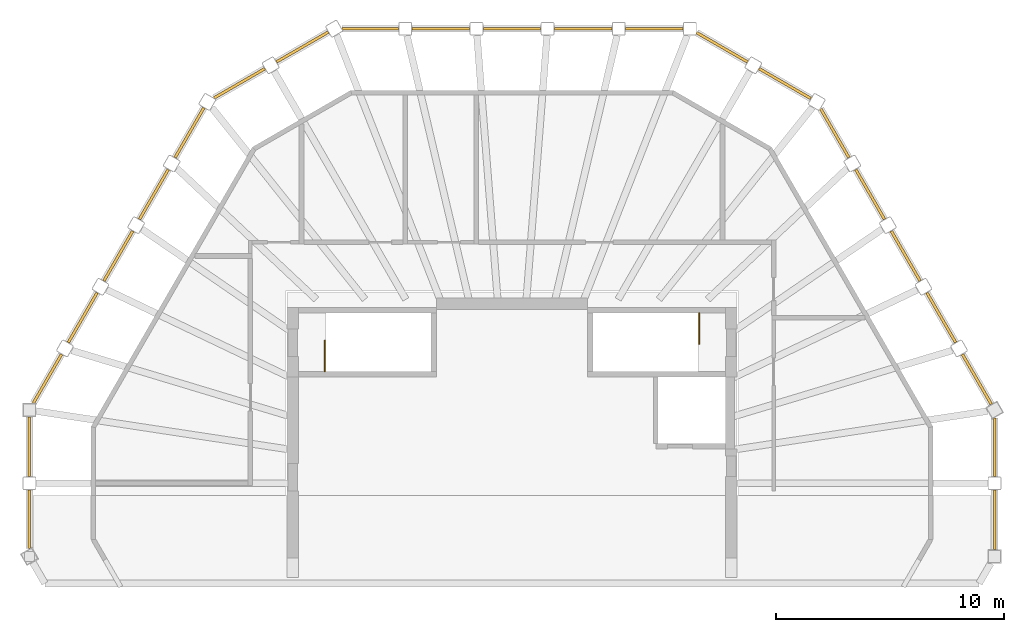
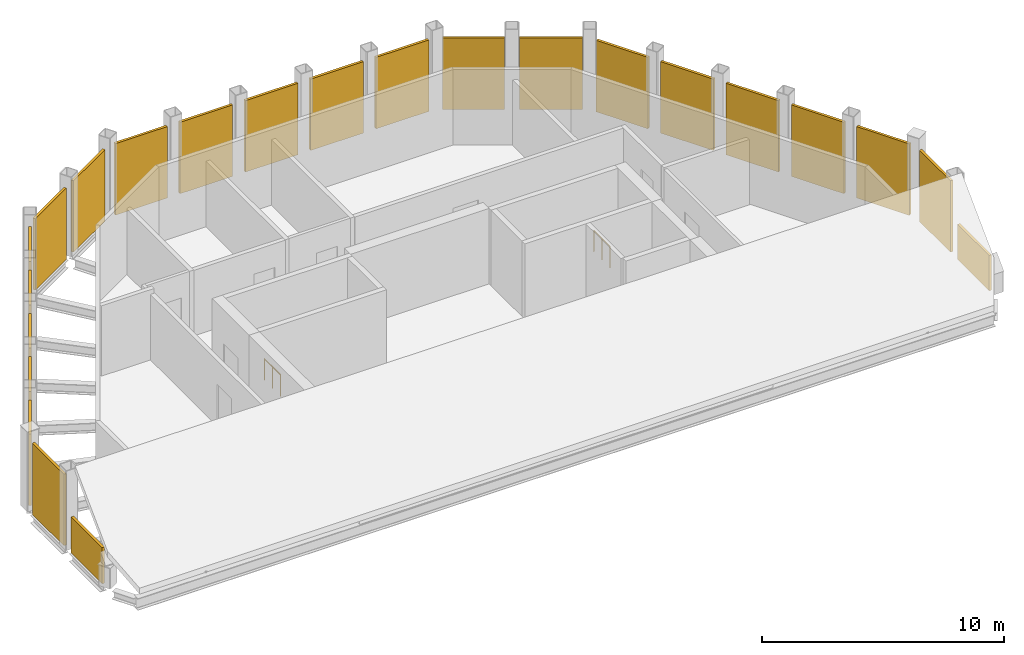
# One storey, part 4 of 4: 23 coverings, 2 railings.
"""IFC4 building model written with IfcOpenShell, lengths in metres."""

from ifc_helpers import new_model, si_unit, direction, frame, origin, origin_2d, place, context, subcontext, project, spatial, polyline, circle, outline, extrude, material, layer, layer_set, type_object, element, save


model = new_model("IFC4")

# Units and contexts
model_context = context("Model", 3, precision=1e-05, world=origin(), true_north=direction((0.0, 1.0)))
body_context = subcontext(model_context, "Body", "Model", "MODEL_VIEW")
ifc_project = project(units=[si_unit("LENGTHUNIT", "METRE"), si_unit("AREAUNIT", "SQUARE_METRE"), si_unit("VOLUMEUNIT", "CUBIC_METRE"), si_unit("PLANEANGLEUNIT", "RADIAN"), si_unit("MASSUNIT", "GRAM", prefix="KILO")], contexts=[model_context])

# Site, building, storey
site_placement = place(None, origin())
site = spatial("IfcSite", under=ifc_project, at=site_placement, CompositionType="ELEMENT")
building_placement = place(site_placement, origin())
building = spatial("IfcBuilding", under=site, at=building_placement, Name="Frailejon Research Tower", CompositionType="ELEMENT")
storey_placement = place(building_placement, frame((0.0, 0.0, 364.60009765625)))
storey = spatial("IfcBuildingStorey", under=building, at=storey_placement, Name="L82", CompositionType="ELEMENT", Elevation=364.60009765625)

# Coverings
ifc_material_1 = material(Name="Anodised aluminium louvres", Category="aluminium")
ifc_layer = layer(ifc_material_1, 0.1201171875)
ifc_layer_set = layer_set([ifc_layer], Name="Crown louvre screen 120")
covering_type = type_object("IfcCoveringType", Name="Crown louvre screen 120", PredefinedType="CLADDING", material=ifc_layer_set)
covering_1_placement = place(storey_placement, frame((21.12744140625, -0.300048828125, -0.2001953125), z_axis=(0.0, -1.0, 0.0), x_axis=(1.0, 0.0, 0.0)))
element("IfcCovering", 1, at=covering_1_placement, inside=storey, type_object=covering_type, Name="Crown louvre screen L82", PredefinedType="CLADDING", context=body_context, shape_type="SweptSolid", body=[
    extrude(outline(polyline([(-0.06005859375, 0.0), (0.06005859375, 0.0), (0.06005859375, 1.774169921875), (-0.06005859375, 1.774169921875), (-0.06005859375, 0.0)])), origin(), (0.0, 0.0, 1.0), 2.606201171875),
])
covering_2_placement = place(storey_placement, frame((21.12744140625, 2.859619140625, -0.2001953125), z_axis=(0.0, -1.0, 0.0), x_axis=(1.0, 0.0, 0.0)))
element("IfcCovering", 2, at=covering_2_placement, inside=storey, type_object=covering_type, Name="Crown louvre screen L82", PredefinedType="CLADDING", context=body_context, shape_type="SweptSolid", body=[
    extrude(outline(polyline([(-0.06005859375, 0.0), (0.06005859375, 0.0), (0.06005859375, 3.60009765625), (-0.06005859375, 3.60009765625), (-0.06005859375, 0.0)])), origin(), (0.0, 0.0, 1.0), 2.559814453125),
])
for number, where, z_axis, x_axis, name in (
    (3, (19.72021484375, 5.643798828125, -0.2001953125), (0.499996674019, -0.866027324032, 0.0), (0.866027324032, 0.499996674019, 0.0), "Crown louvre screen L82"),
    (4, (18.16259765625, 8.34130859375, -0.2001953125), (0.500009278777, -0.866020046614, 0.0), (0.866020046614, 0.500009278777, 0.0), "Crown louvre screen L82"),
    (5, (16.605224609375, 11.0390625, -0.2001953125), (0.499979456235, -0.866037264408, 0.0), (0.866037264408, 0.499979456235, 0.0), "Crown louvre screen L82"),
    (6, (15.047607421875, 13.736572265625, -0.2001953125), (0.500009278777, -0.866020046614, 0.0), (0.866020046614, 0.500009278777, 0.0), "Crown louvre screen L82"),
):
    element("IfcCovering", number, at=place(storey_placement, frame(where, z_axis=z_axis, x_axis=x_axis)), inside=storey, type_object=covering_type, Name=name, PredefinedType="CLADDING", context=body_context, shape_type="SweptSolid", body=[
        extrude(outline(polyline([(-0.06005859375, 0.0), (0.06005859375, 0.0), (0.06005859375, 3.60009765625), (-0.06005859375, 3.60009765625), (-0.06005859375, 0.0)])), origin(), (0.0, 0.0, 1.0), 2.514892578125),
    ])
covering_3_placement = place(storey_placement, frame((13.513427734375, 16.393798828125, -0.2001953125), z_axis=(0.499999492034, -0.866025697059, 0.0), x_axis=(0.866025697059, 0.499999492034, 0.0)))
element("IfcCovering", 7, at=covering_3_placement, inside=storey, type_object=covering_type, Name="Crown louvre screen L82", PredefinedType="CLADDING", context=body_context, shape_type="SweptSolid", body=[
    extrude(outline(polyline([(-0.06005859375, 0.0), (0.06005859375, 0.0), (0.06005859375, 3.60009765625), (-0.06005859375, 3.60009765625), (-0.06005859375, 0.0)])), origin(), (0.0, 0.0, 1.0), 2.468505859375),
])
covering_4_placement = place(storey_placement, frame((10.823486328125, 18.14697265625, -0.2001953125), z_axis=(0.866012414126, -0.500022498073, 0.0), x_axis=(0.500022498073, 0.866012414126, 0.0)))
element("IfcCovering", 8, at=covering_4_placement, inside=storey, type_object=covering_type, Name="Crown louvre screen L82", PredefinedType="CLADDING", context=body_context, shape_type="SweptSolid", body=[
    extrude(outline(polyline([(-0.06005859375, 0.0), (0.06005859375, 0.0), (0.06005859375, 3.60009765625), (-0.06005859375, 3.60009765625), (-0.06005859375, 0.0)])), origin(), (0.0, 0.0, 1.0), 2.606201171875),
])
covering_5_placement = place(storey_placement, frame((8.087158203125, 19.726806640625, -0.2001953125), z_axis=(0.866037258145, -0.499979467084, 0.0), x_axis=(0.499979467084, 0.866037258145, 0.0)))
element("IfcCovering", 9, at=covering_5_placement, inside=storey, type_object=covering_type, Name="Crown louvre screen L82", PredefinedType="CLADDING", context=body_context, shape_type="SweptSolid", body=[
    extrude(outline(polyline([(-0.06005859375, 0.0), (0.06005859375, 0.0), (0.06005859375, 3.60009765625), (-0.06005859375, 3.60009765625), (-0.06005859375, 0.0)])), origin(), (0.0, 0.0, 1.0), 2.559814453125),
])
for number, where, z_axis, x_axis, name in (
    (10, (4.972412109375, 19.89990234375, -0.2001953125), (1.0, 0.0, 0.0), (0.0, 1.0, 0.0), "Crown louvre screen L82"),
    (11, (1.857421875, 19.89990234375, -0.2001953125), (1.0, 0.0, 0.0), (0.0, 1.0, 0.0), "Crown louvre screen L82"),
    (12, (-1.25732421875, 19.89990234375, -0.2001953125), (1.0, 0.0, 0.0), (0.0, 1.0, 0.0), "Crown louvre screen L82"),
    (13, (-4.372314453125, 19.89990234375, -0.2001953125), (1.0, 0.0, 0.0), (0.0, 1.0, 0.0), "Crown louvre screen L82"),
):
    element("IfcCovering", number, at=place(storey_placement, frame(where, z_axis=z_axis, x_axis=x_axis)), inside=storey, type_object=covering_type, Name=name, PredefinedType="CLADDING", context=body_context, shape_type="SweptSolid", body=[
        extrude(outline(polyline([(-0.06005859375, 0.0), (0.06005859375, 0.0), (0.06005859375, 3.60009765625), (-0.06005859375, 3.60009765625), (-0.06005859375, 0.0)])), origin(), (0.0, 0.0, 1.0), 2.514892578125),
    ])
covering_6_placement = place(storey_placement, frame((-7.44091796875, 19.89990234375, -0.2001953125), z_axis=(1.0, 0.0, 0.0), x_axis=(0.0, 1.0, 0.0)))
element("IfcCovering", 14, at=covering_6_placement, inside=storey, type_object=covering_type, Name="Crown louvre screen L82", PredefinedType="CLADDING", context=body_context, shape_type="SweptSolid", body=[
    extrude(outline(polyline([(-0.06005859375, 0.0), (0.06005859375, 0.0), (0.06005859375, 3.60009765625), (-0.06005859375, 3.60009765625), (-0.06005859375, 0.0)])), origin(), (0.0, 0.0, 1.0), 2.468505859375),
])
covering_7_placement = place(storey_placement, frame((-10.303955078125, 18.447021484375, -0.2001953125), z_axis=(0.866038622295, 0.49997710417, 0.0), x_axis=(-0.49997710417, 0.866038622295, 0.0)))
element("IfcCovering", 15, at=covering_7_placement, inside=storey, type_object=covering_type, Name="Crown louvre screen L82", PredefinedType="CLADDING", context=body_context, shape_type="SweptSolid", body=[
    extrude(outline(polyline([(-0.06005859375, 0.0), (0.06005859375, 0.0), (0.06005859375, 3.60009765625), (-0.06005859375, 3.60009765625), (-0.06005859375, 0.0)])), origin(), (0.0, 0.0, 1.0), 2.606201171875),
])
covering_8_placement = place(storey_placement, frame((-13.040283203125, 16.8671875, -0.2001953125), z_axis=(0.866010574459, 0.500025684265, 0.0), x_axis=(-0.500025684265, 0.866010574459, 0.0)))
element("IfcCovering", 16, at=covering_8_placement, inside=storey, type_object=covering_type, Name="Crown louvre screen L82", PredefinedType="CLADDING", context=body_context, shape_type="SweptSolid", body=[
    extrude(outline(polyline([(-0.06005859375, 0.0), (0.06005859375, 0.0), (0.06005859375, 3.60009765625), (-0.06005859375, 3.60009765625), (-0.06005859375, 0.0)])), origin(), (0.0, 0.0, 1.0), 2.559814453125),
])
for number, where, z_axis, x_axis, name in (
    (17, (-14.747802734375, 14.256103515625, -0.2001953125), (0.499996674019, 0.866027324032, 0.0), (-0.866027324032, 0.499996674019, 0.0), "Crown louvre screen L82"),
    (18, (-16.30517578125, 11.55859375, -0.2001953125), (0.500009278777, 0.866020046614, 0.0), (-0.866020046614, 0.500009278777, 0.0), "Crown louvre screen L82"),
    (19, (-17.862548828125, 8.861083984375, -0.2001953125), (0.499979456235, 0.866037264408, 0.0), (-0.866037264408, 0.499979456235, 0.0), "Crown louvre screen L82"),
    (20, (-19.420166015625, 6.163330078125, -0.2001953125), (0.500009278777, 0.866020046614, 0.0), (-0.866020046614, 0.500009278777, 0.0), "Crown louvre screen L82"),
):
    element("IfcCovering", number, at=place(storey_placement, frame(where, z_axis=z_axis, x_axis=x_axis)), inside=storey, type_object=covering_type, Name=name, PredefinedType="CLADDING", context=body_context, shape_type="SweptSolid", body=[
        extrude(outline(polyline([(-0.06005859375, 0.0), (0.06005859375, 0.0), (0.06005859375, 3.60009765625), (-0.06005859375, 3.60009765625), (-0.06005859375, 0.0)])), origin(), (0.0, 0.0, 1.0), 2.514892578125),
    ])
covering_9_placement = place(storey_placement, frame((-20.954345703125, 3.506103515625, -0.2001953125), z_axis=(0.499999492034, 0.866025697059, 0.0), x_axis=(-0.866025697059, 0.499999492034, 0.0)))
element("IfcCovering", 21, at=covering_9_placement, inside=storey, type_object=covering_type, Name="Crown louvre screen L82", PredefinedType="CLADDING", context=body_context, shape_type="SweptSolid", body=[
    extrude(outline(polyline([(-0.06005859375, 0.0), (0.06005859375, 0.0), (0.06005859375, 3.60009765625), (-0.06005859375, 3.60009765625), (-0.06005859375, 0.0)])), origin(), (0.0, 0.0, 1.0), 2.468505859375),
])
covering_10_placement = place(storey_placement, frame((-21.12744140625, 0.300048828125, -0.2001953125), z_axis=(0.0, 1.0, 0.0), x_axis=(-1.0, 0.0, 0.0)))
element("IfcCovering", 22, at=covering_10_placement, inside=storey, type_object=covering_type, Name="Crown louvre screen L82", PredefinedType="CLADDING", context=body_context, shape_type="SweptSolid", body=[
    extrude(outline(polyline([(-0.06005859375, 0.0), (0.06005859375, 0.0), (0.06005859375, 3.60009765625), (-0.06005859375, 3.60009765625), (-0.06005859375, 0.0)])), origin(), (0.0, 0.0, 1.0), 2.606201171875),
])
covering_11_placement = place(storey_placement, frame((-21.12744140625, -2.859619140625, -0.2001953125), z_axis=(0.0, 1.0, 0.0), x_axis=(-1.0, 0.0, 0.0)))
element("IfcCovering", 23, at=covering_11_placement, inside=storey, type_object=covering_type, Name="Crown louvre screen L82", PredefinedType="CLADDING", context=body_context, shape_type="SweptSolid", body=[
    extrude(outline(polyline([(-0.06005859375, 0.0), (0.06005859375, 0.0), (0.06005859375, 1.820556640625), (-0.06005859375, 1.820556640625), (-0.06005859375, 0.0)])), origin(), (0.0, 0.0, 1.0), 2.559814453125),
])

# Railings
ifc_material_2 = material(Name="Stainless steel", Category="steel")
railing_type = type_object("IfcRailingType", Name="Stair guard 1100", PredefinedType="GUARDRAIL", material=ifc_material_2)
railing_1_placement = place(storey_placement, frame((-8.199951171875, 4.89990234375, 0.0)))
element("IfcRailing", 24, at=railing_1_placement, inside=storey, type_object=railing_type, Name="L82 ST1 top well guard 1", PredefinedType="GUARDRAIL", context=body_context, shape_type="SweptSolid", body=[
    extrude(circle(Radius=0.02392578125, at=origin_2d()), frame((0.0, 0.0, 1.076171875), z_axis=(0.0, 1.0, 0.0), x_axis=(-1.0, 0.0, 0.0)), (0.0, 0.0, 1.0), 1.35009765625),
    extrude(circle(Radius=0.02099609375, at=origin_2d()), origin(), (0.0, 0.0, 1.0), 1.052001953125),
    extrude(circle(Radius=0.02099609375, at=origin_2d()), frame((0.0, 0.675048828125, 0.0)), (0.0, 0.0, 1.0), 1.052001953125),
    extrude(circle(Radius=0.02099609375, at=origin_2d()), frame((0.0, 1.35009765625, 0.0)), (0.0, 0.0, 1.0), 1.052001953125),
])
railing_2_placement = place(storey_placement, frame((8.199951171875, 7.449951171875, 0.0)))
element("IfcRailing", 25, at=railing_2_placement, inside=storey, type_object=railing_type, Name="L82 ST3 top well guard 1", PredefinedType="GUARDRAIL", context=body_context, shape_type="SweptSolid", body=[
    extrude(circle(Radius=0.02392578125, at=origin_2d()), frame((0.0, 0.0, 1.076171875), z_axis=(0.0, -1.0, 0.0), x_axis=(1.0, 0.0, 0.0)), (0.0, 0.0, 1.0), 1.349853515625),
    extrude(circle(Radius=0.02099609375, at=origin_2d()), origin(), (0.0, 0.0, 1.0), 1.052001953125),
    extrude(circle(Radius=0.02099609375, at=origin_2d()), frame((0.0, -0.6748046875, 0.0)), (0.0, 0.0, 1.0), 1.052001953125),
    extrude(circle(Radius=0.02099609375, at=origin_2d()), frame((0.0, -1.349853515625, 0.0)), (0.0, 0.0, 1.0), 1.052001953125),
])

save(model, "model.ifc")
